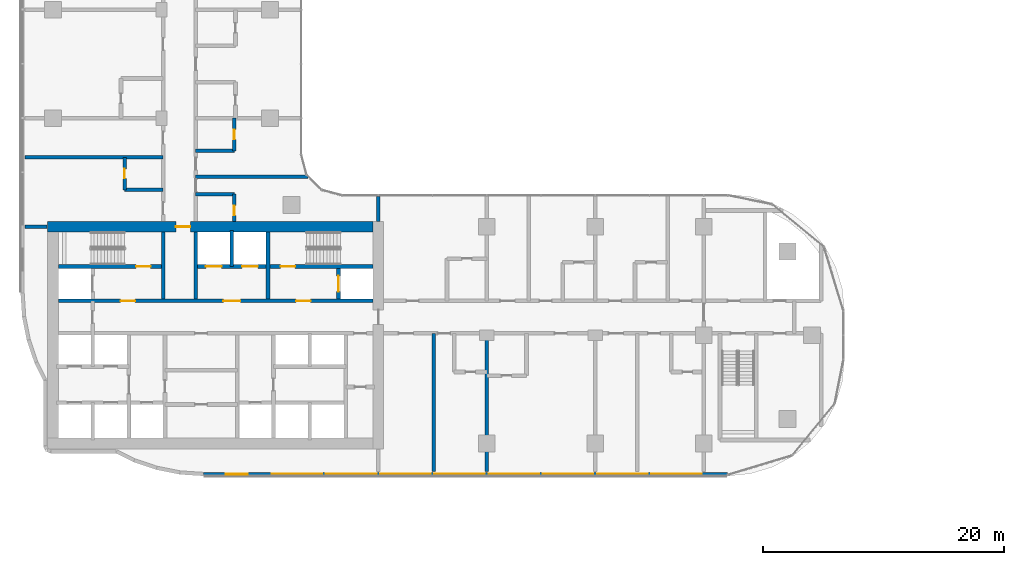
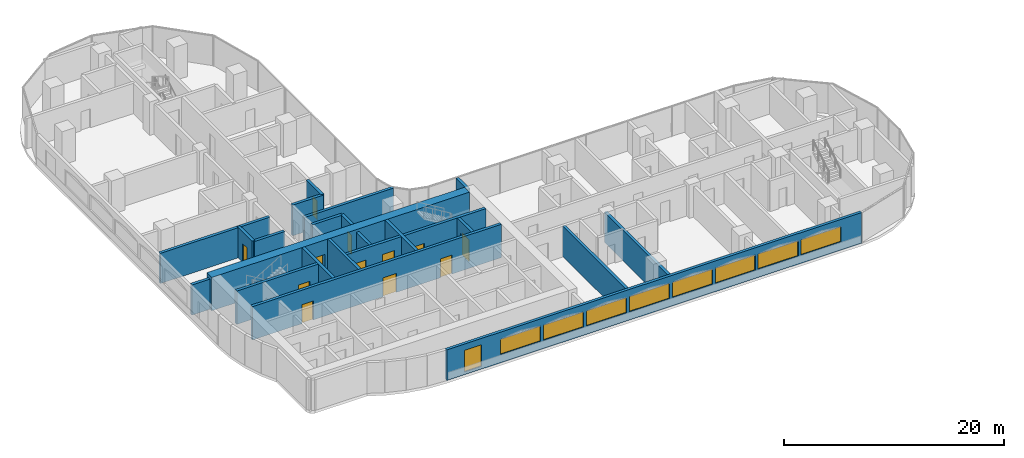
# One storey, part 18 of 34: 22 walls, 12 doors, 9 windows, 21 openings.
"""IFC4 building model written with IfcOpenShell, lengths in metres."""

from ifc_helpers import new_model, si_unit, direction, frame, frame_2d, origin, place, context, subcontext, project, spatial, rectangle, extrude, material, layer, layer_set, type_object, element, fill, save


model = new_model("IFC4")

# Units and contexts
model_context = context("Model", 3, precision=1e-05, world=origin(), true_north=direction((0.0, 1.0)))
body_context = subcontext(model_context, "Body", "Model", "MODEL_VIEW")
ifc_project = project(units=[si_unit("LENGTHUNIT", "METRE"), si_unit("AREAUNIT", "SQUARE_METRE"), si_unit("VOLUMEUNIT", "CUBIC_METRE"), si_unit("PLANEANGLEUNIT", "RADIAN"), si_unit("MASSUNIT", "GRAM", prefix="KILO")], contexts=[model_context])

# Site, building, storey
site_placement = place(None, origin())
site = spatial("IfcSite", under=ifc_project, at=site_placement, CompositionType="ELEMENT")
building_placement = place(site_placement, origin())
building = spatial("IfcBuilding", under=site, at=building_placement, Name="Ogive Portal Towers", CompositionType="ELEMENT")
storey_placement = place(building_placement, frame((0.0, 0.0, 66.800048828125)))
storey = spatial("IfcBuildingStorey", under=building, at=storey_placement, Name="L15", CompositionType="ELEMENT", Elevation=66.800048828125)

# Wall, openings, doors
ifc_material_1 = material(Name="Concrete C60/75", Category="concrete")
ifc_layer_1 = layer(ifc_material_1, 0.300048828125)
ifc_layer_set_1 = layer_set([ifc_layer_1], Name="CORE WALL 300 C60")
wall_type_1 = type_object("IfcWallType", Name="CORE WALL 300 C60", PredefinedType="SHEAR", material=ifc_layer_set_1)
wall_1_placement = place(storey_placement, frame((31.949951171875, 33.35009765625, 0.0), z_axis=(0.0, 0.0, 1.0), x_axis=(1.0, 0.0, 0.0)))
wall_1 = element("IfcWall", 1, at=wall_1_placement, inside=storey, type_object=wall_type_1, Name="Core wall Y2 L15", PredefinedType="SHEAR", context=body_context, shape_type="SweptSolid", body=[
    extrude(rectangle(XDim=26.10009765625, YDim=0.300048828125, at=frame_2d((13.050048828125, 0.0))), origin(), (0.0, 0.0, 1.0), 3.699951171875),
])
opening_1_placement = place(wall_1_placement, frame((13.699951171875, 0.0, 0.0)))
opening_1 = element("IfcOpeningElement", 2, at=opening_1_placement, cuts=wall_1, Name="Opening D04-002", PredefinedType="OPENING", context=body_context, shape_type="SweptSolid", body=[
    extrude(rectangle(XDim=1.39990234375, YDim=2.10009765625, at=frame_2d((0.699951171875, 1.050048828125))), frame((0.0, 0.16015625, 0.0), z_axis=(0.0, -1.0, 0.0), x_axis=(1.0, 0.0, 0.0)), (0.0, 0.0, 1.0), 0.320068359375),
])
opening_2_placement = place(wall_1_placement, frame((5.175048828125, 0.0, 0.0)))
opening_2 = element("IfcOpeningElement", 3, at=opening_2_placement, cuts=wall_1, Name="Opening D04-003", PredefinedType="OPENING", context=body_context, shape_type="SweptSolid", body=[
    extrude(rectangle(XDim=1.199951171875, YDim=2.10009765625, at=frame_2d((0.60009765625, 1.050048828125))), frame((0.0, 0.16015625, 0.0), z_axis=(0.0, -1.0, 0.0), x_axis=(1.0, 0.0, 0.0)), (0.0, 0.0, 1.0), 0.320068359375),
])
opening_3_placement = place(wall_1_placement, frame((19.72509765625, 0.0, 0.0)))
opening_3 = element("IfcOpeningElement", 4, at=opening_3_placement, cuts=wall_1, Name="Opening D04-004", PredefinedType="OPENING", context=body_context, shape_type="SweptSolid", body=[
    extrude(rectangle(XDim=1.199951171875, YDim=2.10009765625, at=frame_2d((0.60009765625, 1.050048828125))), frame((0.0, 0.16015625, 0.0), z_axis=(0.0, -1.0, 0.0), x_axis=(1.0, 0.0, 0.0)), (0.0, 0.0, 1.0), 0.320068359375),
])
ifc_material_2 = material(Name="Steel fire door", Category="steel")
door_type_1 = type_object("IfcDoorType", Name="DT-SWING-1200x2100-FD90S", OperationType="SINGLE_SWING_LEFT", PredefinedType="DOOR", material=ifc_material_2)
door_1_placement = place(opening_2_placement, origin())
door_1 = element("IfcDoor", 5, at=door_1_placement, inside=storey, type_object=door_type_1, Name="Door D04-003", OperationType="SINGLE_SWING_LEFT", OverallHeight=2.10009765625, OverallWidth=1.199951171875, PredefinedType="DOOR", context=body_context, shape_type="SweptSolid", body=[
    extrude(rectangle(XDim=1.199951171875, YDim=2.10009765625, at=frame_2d((0.60009765625, 1.050048828125))), frame((0.0, 0.02490234375, 0.0), z_axis=(0.0, -1.0, 0.0), x_axis=(1.0, 0.0, 0.0)), (0.0, 0.0, 1.0), 0.050048828125),
])
fill(opening_2, door_1)
door_2_placement = place(opening_3_placement, origin())
door_2 = element("IfcDoor", 6, at=door_2_placement, inside=storey, type_object=door_type_1, Name="Door D04-004", OperationType="SINGLE_SWING_RIGHT", OverallHeight=2.10009765625, OverallWidth=1.199951171875, PredefinedType="DOOR", context=body_context, shape_type="SweptSolid", body=[
    extrude(rectangle(XDim=1.199951171875, YDim=2.10009765625, at=frame_2d((0.60009765625, 1.050048828125))), frame((0.0, 0.02490234375, 0.0), z_axis=(0.0, -1.0, 0.0), x_axis=(1.0, 0.0, 0.0)), (0.0, 0.0, 1.0), 0.050048828125),
])
fill(opening_3, door_2)
door_type_2 = type_object("IfcDoorType", Name="DT-SWING-1400x2100-FD90S", OperationType="SINGLE_SWING_LEFT", PredefinedType="DOOR", material=ifc_material_2)
door_3_placement = place(opening_1_placement, origin())
door_3 = element("IfcDoor", 7, at=door_3_placement, inside=storey, type_object=door_type_2, Name="Door D04-002", OperationType="SINGLE_SWING_RIGHT", OverallHeight=2.10009765625, OverallWidth=1.39990234375, PredefinedType="DOOR", context=body_context, shape_type="SweptSolid", body=[
    extrude(rectangle(XDim=1.39990234375, YDim=2.10009765625, at=frame_2d((0.699951171875, 1.050048828125))), frame((0.0, 0.02490234375, 0.0), z_axis=(0.0, -1.0, 0.0), x_axis=(1.0, 0.0, 0.0)), (0.0, 0.0, 1.0), 0.050048828125),
])
fill(opening_1, door_3)

# Wall, opening, door
wall_2_placement = place(storey_placement, frame((31.949951171875, 36.199951171875, 0.0), z_axis=(0.0, 0.0, 1.0), x_axis=(1.0, 0.0, 0.0)))
wall_2 = element("IfcWall", 8, at=wall_2_placement, inside=storey, type_object=wall_type_1, Name="Core wall Y3a L15", PredefinedType="SHEAR", context=body_context, shape_type="SweptSolid", body=[
    extrude(rectangle(XDim=8.550048828125, YDim=0.300048828125, at=frame_2d((4.27490234375, 0.0))), origin(), (0.0, 0.0, 1.0), 3.699951171875),
])
opening_4_placement = place(wall_2_placement, frame((6.449951171875, 0.0, 0.0)))
opening_4 = element("IfcOpeningElement", 9, at=opening_4_placement, cuts=wall_2, Name="Opening D04-005", PredefinedType="OPENING", context=body_context, shape_type="SweptSolid", body=[
    extrude(rectangle(XDim=1.199951171875, YDim=2.10009765625, at=frame_2d((0.60009765625, 1.050048828125))), frame((0.0, 0.16015625, 0.0), z_axis=(0.0, -1.0, 0.0), x_axis=(1.0, 0.0, 0.0)), (0.0, 0.0, 1.0), 0.320068359375),
])
door_4_placement = place(opening_4_placement, origin())
door_4 = element("IfcDoor", 10, at=door_4_placement, inside=storey, type_object=door_type_1, Name="Door D04-005", OperationType="SINGLE_SWING_RIGHT", OverallHeight=2.10009765625, OverallWidth=1.199951171875, PredefinedType="DOOR", context=body_context, shape_type="SweptSolid", body=[
    extrude(rectangle(XDim=1.199951171875, YDim=2.10009765625, at=frame_2d((0.60009765625, 1.050048828125))), frame((0.0, 0.02490234375, 0.0), z_axis=(0.0, -1.0, 0.0), x_axis=(1.0, 0.0, 0.0)), (0.0, 0.0, 1.0), 0.050048828125),
])
fill(opening_4, door_4)

# Wall, openings, doors
wall_3_placement = place(storey_placement, frame((43.5, 36.199951171875, 0.0), z_axis=(0.0, 0.0, 1.0), x_axis=(1.0, 0.0, 0.0)))
wall_3 = element("IfcWall", 11, at=wall_3_placement, inside=storey, type_object=wall_type_1, Name="Core wall Y3b L15", PredefinedType="SHEAR", context=body_context, shape_type="SweptSolid", body=[
    extrude(rectangle(XDim=14.550048828125, YDim=0.300048828125, at=frame_2d((7.27490234375, 0.0))), origin(), (0.0, 0.0, 1.0), 3.699951171875),
])
opening_5_placement = place(wall_3_placement, frame((6.89990234375, 0.0, 0.0)))
opening_5 = element("IfcOpeningElement", 12, at=opening_5_placement, cuts=wall_3, Name="Opening D04-006", PredefinedType="OPENING", context=body_context, shape_type="SweptSolid", body=[
    extrude(rectangle(XDim=1.199951171875, YDim=2.10009765625, at=frame_2d((0.60009765625, 1.050048828125))), frame((0.0, 0.16015625, 0.0), z_axis=(0.0, -1.0, 0.0), x_axis=(1.0, 0.0, 0.0)), (0.0, 0.0, 1.0), 0.320068359375),
])
opening_6_placement = place(wall_3_placement, frame((0.699951171875, 0.0, 0.0)))
opening_6 = element("IfcOpeningElement", 13, at=opening_6_placement, cuts=wall_3, Name="Opening D04-017", PredefinedType="OPENING", context=body_context, shape_type="SweptSolid", body=[
    extrude(rectangle(XDim=1.300048828125, YDim=2.39990234375, at=frame_2d((0.64990234375, 1.199951171875))), frame((0.0, 0.16015625, 0.0), z_axis=(0.0, -1.0, 0.0), x_axis=(1.0, 0.0, 0.0)), (0.0, 0.0, 1.0), 0.320068359375),
])
opening_7_placement = place(wall_3_placement, frame((3.699951171875, 0.0, 0.0)))
opening_7 = element("IfcOpeningElement", 14, at=opening_7_placement, cuts=wall_3, Name="Opening D04-018", PredefinedType="OPENING", context=body_context, shape_type="SweptSolid", body=[
    extrude(rectangle(XDim=1.300048828125, YDim=2.39990234375, at=frame_2d((0.64990234375, 1.199951171875))), frame((0.0, 0.16015625, 0.0), z_axis=(0.0, -1.0, 0.0), x_axis=(1.0, 0.0, 0.0)), (0.0, 0.0, 1.0), 0.320068359375),
])
ifc_material_3 = material(Name="Stainless steel", Category="steel")
door_type_3 = type_object("IfcDoorType", Name="DT-LD-1300x2400", OperationType="SLIDING_TO_LEFT", PredefinedType="DOOR", material=ifc_material_3)
door_5_placement = place(opening_6_placement, origin())
door_5 = element("IfcDoor", 15, at=door_5_placement, inside=storey, type_object=door_type_3, Name="Door D04-017", OperationType="SLIDING_TO_LEFT", OverallHeight=2.39990234375, OverallWidth=1.300048828125, PredefinedType="DOOR", context=body_context, shape_type="SweptSolid", body=[
    extrude(rectangle(XDim=1.300048828125, YDim=2.39990234375, at=frame_2d((0.64990234375, 1.199951171875))), frame((0.0, 0.02490234375, 0.0), z_axis=(0.0, -1.0, 0.0), x_axis=(1.0, 0.0, 0.0)), (0.0, 0.0, 1.0), 0.050048828125),
])
fill(opening_6, door_5)
door_6_placement = place(opening_7_placement, origin())
door_6 = element("IfcDoor", 16, at=door_6_placement, inside=storey, type_object=door_type_3, Name="Door D04-018", OperationType="SLIDING_TO_LEFT", OverallHeight=2.39990234375, OverallWidth=1.300048828125, PredefinedType="DOOR", context=body_context, shape_type="SweptSolid", body=[
    extrude(rectangle(XDim=1.300048828125, YDim=2.39990234375, at=frame_2d((0.64990234375, 1.199951171875))), frame((0.0, 0.02490234375, 0.0), z_axis=(0.0, -1.0, 0.0), x_axis=(1.0, 0.0, 0.0)), (0.0, 0.0, 1.0), 0.050048828125),
])
fill(opening_7, door_6)
door_7_placement = place(opening_5_placement, origin())
door_7 = element("IfcDoor", 17, at=door_7_placement, inside=storey, type_object=door_type_1, Name="Door D04-006", OperationType="SINGLE_SWING_LEFT", OverallHeight=2.10009765625, OverallWidth=1.199951171875, PredefinedType="DOOR", context=body_context, shape_type="SweptSolid", body=[
    extrude(rectangle(XDim=1.199951171875, YDim=2.10009765625, at=frame_2d((0.60009765625, 1.050048828125))), frame((0.0, 0.02490234375, 0.0), z_axis=(0.0, -1.0, 0.0), x_axis=(1.0, 0.0, 0.0)), (0.0, 0.0, 1.0), 0.050048828125),
])
fill(opening_5, door_7)

# Walls
for number, where, z_axis, x_axis, name in (
    (18, (40.64990234375, 33.5, 0.0), (0.0, 0.0, 1.0), (0.0, 1.0, 0.0), "Core wall X6 L15"),
    (19, (43.35009765625, 33.5, 0.0), (0.0, 0.0, 1.0), (0.0, 1.0, 0.0), "Core wall X7 L15"),
    (20, (49.35009765625, 33.5, 0.0), (0.0, 0.0, 1.0), (0.0, 1.0, 0.0), "Core wall X9 L15"),
):
    element("IfcWall", number, at=place(storey_placement, frame(where, z_axis=z_axis, x_axis=x_axis)), inside=storey, type_object=wall_type_1, Name=name, PredefinedType="SHEAR", context=body_context, shape_type="SweptSolid", body=[
        extrude(rectangle(XDim=5.550048828125, YDim=0.300048828125, at=frame_2d((2.77490234375, 0.0))), origin(), (0.0, 0.0, 1.0), 3.699951171875),
    ])

# Wall, opening, door
wall_4_placement = place(storey_placement, frame((55.199951171875, 33.5, 0.0), z_axis=(0.0, 0.0, 1.0), x_axis=(0.0, 1.0, 0.0)))
wall_4 = element("IfcWall", 21, at=wall_4_placement, inside=storey, type_object=wall_type_1, Name="Core wall X10 L15", PredefinedType="SHEAR", context=body_context, shape_type="SweptSolid", body=[
    extrude(rectangle(XDim=2.550048828125, YDim=0.300048828125, at=frame_2d((1.27490234375, 0.0))), origin(), (0.0, 0.0, 1.0), 3.699951171875),
])
opening_8_placement = place(wall_4_placement, frame((0.625, 0.0, 0.0)))
opening_8 = element("IfcOpeningElement", 22, at=opening_8_placement, cuts=wall_4, Name="Opening D04-020", PredefinedType="OPENING", context=body_context, shape_type="SweptSolid", body=[
    extrude(rectangle(XDim=1.300048828125, YDim=2.39990234375, at=frame_2d((0.64990234375, 1.199951171875))), frame((0.0, 0.16015625, 0.0), z_axis=(0.0, -1.0, 0.0), x_axis=(1.0, 0.0, 0.0)), (0.0, 0.0, 1.0), 0.320068359375),
])
door_8_placement = place(opening_8_placement, origin())
door_8 = element("IfcDoor", 23, at=door_8_placement, inside=storey, type_object=door_type_3, Name="Door D04-020", OperationType="SLIDING_TO_LEFT", OverallHeight=2.39990234375, OverallWidth=1.300048828125, PredefinedType="DOOR", context=body_context, shape_type="SweptSolid", body=[
    extrude(rectangle(XDim=1.300048828125, YDim=2.39990234375, at=frame_2d((0.64990234375, 1.199951171875))), frame((0.0, 0.02490234375, 0.0), z_axis=(0.0, -1.0, 0.0), x_axis=(1.0, 0.0, 0.0)), (0.0, 0.0, 1.0), 0.050048828125),
])
fill(opening_8, door_8)

ifc_layer_2 = layer(ifc_material_1, 0.89990234375)
ifc_layer_set_2 = layer_set([ifc_layer_2], Name="CORE WALL 900 C60")
wall_type_2 = type_object("IfcWallType", Name="CORE WALL 900 C60", PredefinedType="SHEAR", material=ifc_layer_set_2)
wall_5_placement = place(storey_placement, frame((31.050048828125, 39.5, 0.0), z_axis=(0.0, 0.0, 1.0), x_axis=(1.0, 0.0, 0.0)))
wall_5 = element("IfcWall", 24, at=wall_5_placement, inside=storey, type_object=wall_type_2, Name="Core wall N L15", PredefinedType="SHEAR", context=body_context, shape_type="SweptSolid", body=[
    extrude(rectangle(XDim=27.0, YDim=0.89990234375, at=frame_2d((13.5, 0.0))), origin(), (0.0, 0.0, 1.0), 3.699951171875),
])
opening_9_placement = place(wall_5_placement, frame((10.64990234375, 0.0, 0.0)))
opening_9 = element("IfcOpeningElement", 25, at=opening_9_placement, cuts=wall_5, Name="Opening D04-012", PredefinedType="OPENING", context=body_context, shape_type="SweptSolid", body=[
    extrude(rectangle(XDim=1.199951171875, YDim=2.10009765625, at=frame_2d((0.60009765625, 1.050048828125))), frame((0.0, 0.4599609375, 0.0), z_axis=(0.0, -1.0, 0.0), x_axis=(1.0, 0.0, 0.0)), (0.0, 0.0, 1.0), 0.919921875),
])
door_9_placement = place(opening_9_placement, origin())
door_9 = element("IfcDoor", 26, at=door_9_placement, inside=storey, type_object=door_type_1, Name="Door D04-012", OperationType="SINGLE_SWING_RIGHT", OverallHeight=2.10009765625, OverallWidth=1.199951171875, PredefinedType="DOOR", context=body_context, shape_type="SweptSolid", body=[
    extrude(rectangle(XDim=1.199951171875, YDim=2.10009765625, at=frame_2d((0.60009765625, 1.050048828125))), frame((0.0, 0.02490234375, 0.0), z_axis=(0.0, -1.0, 0.0), x_axis=(1.0, 0.0, 0.0)), (0.0, 0.0, 1.0), 0.050048828125),
])
fill(opening_9, door_9)

# Wall, openings, windows
ifc_material_4 = material(Name="Limestone cladding on lightweight block wall", Category="masonry")
ifc_layer_3 = layer(ifc_material_4, 0.300048828125)
ifc_layer_set_3 = layer_set([ifc_layer_3], Name="EXTERNAL WALL 300 STONE")
wall_type_3 = type_object("IfcWallType", Name="EXTERNAL WALL 300 STONE", PredefinedType="SOLIDWALL", material=ifc_layer_set_3)
wall_6_placement = place(storey_placement, frame((44.009765625, 18.969970703125, 0.0), z_axis=(0.0, 0.0, 1.0), x_axis=(1.0, 0.0, 0.0)))
wall_6 = element("IfcWall", 27, at=wall_6_placement, inside=storey, type_object=wall_type_3, Name="A:L15:f08:r0:wall", PredefinedType="SOLIDWALL", context=body_context, shape_type="SweptSolid", body=[
    extrude(rectangle(XDim=43.478271484375, YDim=0.300048828125, at=frame_2d((21.7392578125, 0.0))), origin(), (0.0, 0.0, 1.0), 3.39990234375),
])
opening_10_placement = place(wall_6_placement, frame((1.844970703125, 0.0, 0.300048828125)))
opening_10 = element("IfcOpeningElement", 28, at=opening_10_placement, cuts=wall_6, Name="Opening WN10", PredefinedType="OPENING", context=body_context, shape_type="SweptSolid", body=[
    extrude(rectangle(XDim=1.800048828125, YDim=2.39990234375, at=frame_2d((0.89990234375, 1.199951171875))), frame((0.0, 0.16015625, 0.0), z_axis=(0.0, -1.0, 0.0), x_axis=(1.0, 0.0, 0.0)), (0.0, 0.0, 1.0), 0.320068359375),
])
opening_11_placement = place(wall_6_placement, frame((5.64013671875, 0.0, 0.89990234375)))
opening_11 = element("IfcOpeningElement", 29, at=opening_11_placement, cuts=wall_6, Name="Opening WN13", PredefinedType="OPENING", context=body_context, shape_type="SweptSolid", body=[
    extrude(rectangle(XDim=4.199951171875, YDim=1.699951171875, at=frame_2d((2.10009765625, 0.85009765625))), frame((0.0, 0.16015625, 0.0), z_axis=(0.0, -1.0, 0.0), x_axis=(1.0, 0.0, 0.0)), (0.0, 0.0, 1.0), 0.320068359375),
])
opening_12_placement = place(wall_6_placement, frame((10.14013671875, 0.0, 0.89990234375)))
opening_12 = element("IfcOpeningElement", 30, at=opening_12_placement, cuts=wall_6, Name="Opening WN13", PredefinedType="OPENING", context=body_context, shape_type="SweptSolid", body=[
    extrude(rectangle(XDim=4.199951171875, YDim=1.699951171875, at=frame_2d((2.10009765625, 0.85009765625))), frame((0.0, 0.16015625, 0.0), z_axis=(0.0, -1.0, 0.0), x_axis=(1.0, 0.0, 0.0)), (0.0, 0.0, 1.0), 0.320068359375),
])
opening_13_placement = place(wall_6_placement, frame((14.64013671875, 0.0, 0.89990234375)))
opening_13 = element("IfcOpeningElement", 31, at=opening_13_placement, cuts=wall_6, Name="Opening WN13", PredefinedType="OPENING", context=body_context, shape_type="SweptSolid", body=[
    extrude(rectangle(XDim=4.199951171875, YDim=1.699951171875, at=frame_2d((2.10009765625, 0.85009765625))), frame((0.0, 0.16015625, 0.0), z_axis=(0.0, -1.0, 0.0), x_axis=(1.0, 0.0, 0.0)), (0.0, 0.0, 1.0), 0.320068359375),
])
opening_14_placement = place(wall_6_placement, frame((19.14013671875, 0.0, 0.89990234375)))
opening_14 = element("IfcOpeningElement", 32, at=opening_14_placement, cuts=wall_6, Name="Opening WN13", PredefinedType="OPENING", context=body_context, shape_type="SweptSolid", body=[
    extrude(rectangle(XDim=4.199951171875, YDim=1.699951171875, at=frame_2d((2.10009765625, 0.85009765625))), frame((0.0, 0.16015625, 0.0), z_axis=(0.0, -1.0, 0.0), x_axis=(1.0, 0.0, 0.0)), (0.0, 0.0, 1.0), 0.320068359375),
])
opening_15_placement = place(wall_6_placement, frame((23.64013671875, 0.0, 0.89990234375)))
opening_15 = element("IfcOpeningElement", 33, at=opening_15_placement, cuts=wall_6, Name="Opening WN13", PredefinedType="OPENING", context=body_context, shape_type="SweptSolid", body=[
    extrude(rectangle(XDim=4.199951171875, YDim=1.699951171875, at=frame_2d((2.10009765625, 0.85009765625))), frame((0.0, 0.16015625, 0.0), z_axis=(0.0, -1.0, 0.0), x_axis=(1.0, 0.0, 0.0)), (0.0, 0.0, 1.0), 0.320068359375),
])
opening_16_placement = place(wall_6_placement, frame((28.14013671875, 0.0, 0.89990234375)))
opening_16 = element("IfcOpeningElement", 34, at=opening_16_placement, cuts=wall_6, Name="Opening WN13", PredefinedType="OPENING", context=body_context, shape_type="SweptSolid", body=[
    extrude(rectangle(XDim=4.199951171875, YDim=1.699951171875, at=frame_2d((2.10009765625, 0.85009765625))), frame((0.0, 0.16015625, 0.0), z_axis=(0.0, -1.0, 0.0), x_axis=(1.0, 0.0, 0.0)), (0.0, 0.0, 1.0), 0.320068359375),
])
opening_17_placement = place(wall_6_placement, frame((32.64013671875, 0.0, 0.89990234375)))
opening_17 = element("IfcOpeningElement", 35, at=opening_17_placement, cuts=wall_6, Name="Opening WN13", PredefinedType="OPENING", context=body_context, shape_type="SweptSolid", body=[
    extrude(rectangle(XDim=4.199951171875, YDim=1.699951171875, at=frame_2d((2.10009765625, 0.85009765625))), frame((0.0, 0.16015625, 0.0), z_axis=(0.0, -1.0, 0.0), x_axis=(1.0, 0.0, 0.0)), (0.0, 0.0, 1.0), 0.320068359375),
])
opening_18_placement = place(wall_6_placement, frame((37.14013671875, 0.0, 0.89990234375)))
opening_18 = element("IfcOpeningElement", 36, at=opening_18_placement, cuts=wall_6, Name="Opening WN13", PredefinedType="OPENING", context=body_context, shape_type="SweptSolid", body=[
    extrude(rectangle(XDim=4.199951171875, YDim=1.699951171875, at=frame_2d((2.10009765625, 0.85009765625))), frame((0.0, 0.16015625, 0.0), z_axis=(0.0, -1.0, 0.0), x_axis=(1.0, 0.0, 0.0)), (0.0, 0.0, 1.0), 0.320068359375),
])
ifc_material_5 = material(Name="Glass, clear low-iron insulated glazing", Category="glass")
window_type_1 = type_object("IfcWindowType", Name="WINDOW RIBBON LANCET 4200x1700", PartitioningType="TRIPLE_PANEL_VERTICAL", PredefinedType="WINDOW", material=ifc_material_5)
window_1_placement = place(opening_11_placement, origin())
window_1 = element("IfcWindow", 37, at=window_1_placement, inside=storey, type_object=window_type_1, Name="A:L15:f08:r0:w1", OverallHeight=1.699951171875, OverallWidth=4.199951171875, PartitioningType="SINGLE_PANEL", PredefinedType="WINDOW", context=body_context, shape_type="SweptSolid", body=[
    extrude(rectangle(XDim=4.199951171875, YDim=1.699951171875, at=frame_2d((2.10009765625, 0.85009765625))), frame((0.0, 0.030029296875, 0.0), z_axis=(0.0, -1.0, 0.0), x_axis=(1.0, 0.0, 0.0)), (0.0, 0.0, 1.0), 0.06005859375),
])
fill(opening_11, window_1)
window_2_placement = place(opening_12_placement, origin())
window_2 = element("IfcWindow", 38, at=window_2_placement, inside=storey, type_object=window_type_1, Name="A:L15:f08:r0:w2", OverallHeight=1.699951171875, OverallWidth=4.199951171875, PartitioningType="SINGLE_PANEL", PredefinedType="WINDOW", context=body_context, shape_type="SweptSolid", body=[
    extrude(rectangle(XDim=4.199951171875, YDim=1.699951171875, at=frame_2d((2.10009765625, 0.85009765625))), frame((0.0, 0.030029296875, 0.0), z_axis=(0.0, -1.0, 0.0), x_axis=(1.0, 0.0, 0.0)), (0.0, 0.0, 1.0), 0.06005859375),
])
fill(opening_12, window_2)
window_3_placement = place(opening_13_placement, origin())
window_3 = element("IfcWindow", 39, at=window_3_placement, inside=storey, type_object=window_type_1, Name="A:L15:f08:r0:w3", OverallHeight=1.699951171875, OverallWidth=4.199951171875, PartitioningType="SINGLE_PANEL", PredefinedType="WINDOW", context=body_context, shape_type="SweptSolid", body=[
    extrude(rectangle(XDim=4.199951171875, YDim=1.699951171875, at=frame_2d((2.10009765625, 0.85009765625))), frame((0.0, 0.030029296875, 0.0), z_axis=(0.0, -1.0, 0.0), x_axis=(1.0, 0.0, 0.0)), (0.0, 0.0, 1.0), 0.06005859375),
])
fill(opening_13, window_3)
window_4_placement = place(opening_14_placement, origin())
window_4 = element("IfcWindow", 40, at=window_4_placement, inside=storey, type_object=window_type_1, Name="A:L15:f08:r0:w4", OverallHeight=1.699951171875, OverallWidth=4.199951171875, PartitioningType="SINGLE_PANEL", PredefinedType="WINDOW", context=body_context, shape_type="SweptSolid", body=[
    extrude(rectangle(XDim=4.199951171875, YDim=1.699951171875, at=frame_2d((2.10009765625, 0.85009765625))), frame((0.0, 0.030029296875, 0.0), z_axis=(0.0, -1.0, 0.0), x_axis=(1.0, 0.0, 0.0)), (0.0, 0.0, 1.0), 0.06005859375),
])
fill(opening_14, window_4)
window_5_placement = place(opening_15_placement, origin())
window_5 = element("IfcWindow", 41, at=window_5_placement, inside=storey, type_object=window_type_1, Name="A:L15:f08:r0:w5", OverallHeight=1.699951171875, OverallWidth=4.199951171875, PartitioningType="SINGLE_PANEL", PredefinedType="WINDOW", context=body_context, shape_type="SweptSolid", body=[
    extrude(rectangle(XDim=4.199951171875, YDim=1.699951171875, at=frame_2d((2.10009765625, 0.85009765625))), frame((0.0, 0.030029296875, 0.0), z_axis=(0.0, -1.0, 0.0), x_axis=(1.0, 0.0, 0.0)), (0.0, 0.0, 1.0), 0.06005859375),
])
fill(opening_15, window_5)
window_6_placement = place(opening_16_placement, origin())
window_6 = element("IfcWindow", 42, at=window_6_placement, inside=storey, type_object=window_type_1, Name="A:L15:f08:r0:w6", OverallHeight=1.699951171875, OverallWidth=4.199951171875, PartitioningType="SINGLE_PANEL", PredefinedType="WINDOW", context=body_context, shape_type="SweptSolid", body=[
    extrude(rectangle(XDim=4.199951171875, YDim=1.699951171875, at=frame_2d((2.10009765625, 0.85009765625))), frame((0.0, 0.030029296875, 0.0), z_axis=(0.0, -1.0, 0.0), x_axis=(1.0, 0.0, 0.0)), (0.0, 0.0, 1.0), 0.06005859375),
])
fill(opening_16, window_6)
window_7_placement = place(opening_17_placement, origin())
window_7 = element("IfcWindow", 43, at=window_7_placement, inside=storey, type_object=window_type_1, Name="A:L15:f08:r0:w7", OverallHeight=1.699951171875, OverallWidth=4.199951171875, PartitioningType="SINGLE_PANEL", PredefinedType="WINDOW", context=body_context, shape_type="SweptSolid", body=[
    extrude(rectangle(XDim=4.199951171875, YDim=1.699951171875, at=frame_2d((2.10009765625, 0.85009765625))), frame((0.0, 0.030029296875, 0.0), z_axis=(0.0, -1.0, 0.0), x_axis=(1.0, 0.0, 0.0)), (0.0, 0.0, 1.0), 0.06005859375),
])
fill(opening_17, window_7)
window_8_placement = place(opening_18_placement, origin())
window_8 = element("IfcWindow", 44, at=window_8_placement, inside=storey, type_object=window_type_1, Name="A:L15:f08:r0:w8", OverallHeight=1.699951171875, OverallWidth=4.199951171875, PartitioningType="SINGLE_PANEL", PredefinedType="WINDOW", context=body_context, shape_type="SweptSolid", body=[
    extrude(rectangle(XDim=4.199951171875, YDim=1.699951171875, at=frame_2d((2.10009765625, 0.85009765625))), frame((0.0, 0.030029296875, 0.0), z_axis=(0.0, -1.0, 0.0), x_axis=(1.0, 0.0, 0.0)), (0.0, 0.0, 1.0), 0.06005859375),
])
fill(opening_18, window_8)
window_type_2 = type_object("IfcWindowType", Name="WINDOW SUITE CORNER 1800x2400", PartitioningType="DOUBLE_PANEL_VERTICAL", PredefinedType="WINDOW", material=ifc_material_5)
window_9_placement = place(opening_10_placement, origin())
window_9 = element("IfcWindow", 45, at=window_9_placement, inside=storey, type_object=window_type_2, Name="A:L15:f08:r0:w0", OverallHeight=2.39990234375, OverallWidth=1.800048828125, PartitioningType="SINGLE_PANEL", PredefinedType="WINDOW", context=body_context, shape_type="SweptSolid", body=[
    extrude(rectangle(XDim=1.800048828125, YDim=2.39990234375, at=frame_2d((0.89990234375, 1.199951171875))), frame((0.0, 0.030029296875, 0.0), z_axis=(0.0, -1.0, 0.0), x_axis=(1.0, 0.0, 0.0)), (0.0, 0.0, 1.0), 0.06005859375),
])
fill(opening_10, window_9)

# Walls
ifc_material_6 = material(Name="Gypsum board partition on steel studs", Category="steel")
ifc_layer_4 = layer(ifc_material_6, 0.300048828125)
ifc_layer_set_4 = layer_set([ifc_layer_4], Name="WT-PART-300-EI 60")
wall_type_4 = type_object("IfcWallType", Name="WT-PART-300-EI 60", PredefinedType="PARTITIONING", material=ifc_layer_set_4)
wall_7_placement = place(storey_placement, frame((29.169921875, 39.5, 0.0), z_axis=(0.0, 0.0, 1.0), x_axis=(1.0, 0.0, 0.0)))
element("IfcWall", 46, at=wall_7_placement, inside=storey, type_object=wall_type_4, Name="Wall L15:w012", PredefinedType="PARTITIONING", context=body_context, shape_type="SweptSolid", body=[
    extrude(rectangle(XDim=1.860107421875, YDim=0.300048828125, at=frame_2d((0.93017578125, 0.0))), origin(), (0.0, 0.0, 1.0), 3.349853515625),
])
for number, where, z_axis, x_axis, name in (
    (47, (43.35009765625, 42.199951171875, 0.0), (0.0, 0.0, 1.0), (1.0, 0.0, 0.0), "Wall L15:w014"),
    (48, (37.449951171875, 42.56005859375, 0.0), (0.0, 0.0, 1.0), (1.0, 0.0, 0.0), "Wall L15:w015"),
):
    element("IfcWall", number, at=place(storey_placement, frame(where, z_axis=z_axis, x_axis=x_axis)), inside=storey, type_object=wall_type_4, Name=name, PredefinedType="PARTITIONING", context=body_context, shape_type="SweptSolid", body=[
        extrude(rectangle(XDim=3.199951171875, YDim=0.300048828125, at=frame_2d((1.60009765625, 0.0))), origin(), (0.0, 0.0, 1.0), 3.39990234375),
    ])
wall_8_placement = place(storey_placement, frame((43.35009765625, 43.639892578125, 0.0), z_axis=(0.0, 0.0, 1.0), x_axis=(1.0, 0.0, 0.0)))
element("IfcWall", 49, at=wall_8_placement, inside=storey, type_object=wall_type_4, Name="Wall L15:w016", PredefinedType="PARTITIONING", context=body_context, shape_type="SweptSolid", body=[
    extrude(rectangle(XDim=9.322998046875, YDim=0.300048828125, at=frame_2d((4.66162109375, 0.0))), origin(), (0.0, 0.0, 1.0), 3.349853515625),
])
wall_9_placement = place(storey_placement, frame((29.169921875, 45.260009765625, 0.0), z_axis=(0.0, 0.0, 1.0), x_axis=(1.0, 0.0, 0.0)))
element("IfcWall", 50, at=wall_9_placement, inside=storey, type_object=wall_type_4, Name="Wall L15:w017", PredefinedType="PARTITIONING", context=body_context, shape_type="SweptSolid", body=[
    extrude(rectangle(XDim=11.47998046875, YDim=0.300048828125, at=frame_2d((5.739990234375, 0.0))), origin(), (0.0, 0.0, 1.0), 3.349853515625),
])
wall_10_placement = place(storey_placement, frame((43.35009765625, 45.800048828125, 0.0), z_axis=(0.0, 0.0, 1.0), x_axis=(1.0, 0.0, 0.0)))
element("IfcWall", 51, at=wall_10_placement, inside=storey, type_object=wall_type_4, Name="Wall L15:w018", PredefinedType="PARTITIONING", context=body_context, shape_type="SweptSolid", body=[
    extrude(rectangle(XDim=3.199951171875, YDim=0.300048828125, at=frame_2d((1.60009765625, 0.0))), origin(), (0.0, 0.0, 1.0), 3.39990234375),
])

# Wall, opening, door
wall_11_placement = place(storey_placement, frame((37.449951171875, 42.56005859375, 0.0), z_axis=(0.0, 0.0, 1.0), x_axis=(0.0, 1.0, 0.0)))
wall_11 = element("IfcWall", 52, at=wall_11_placement, inside=storey, type_object=wall_type_4, Name="Wall L15:w035", PredefinedType="PARTITIONING", context=body_context, shape_type="SweptSolid", body=[
    extrude(rectangle(XDim=2.699951171875, YDim=0.300048828125, at=frame_2d((1.35009765625, 0.0))), origin(), (0.0, 0.0, 1.0), 3.39990234375),
])
opening_19_placement = place(wall_11_placement, frame((0.949951171875, 0.0, 0.0)))
opening_19 = element("IfcOpeningElement", 53, at=opening_19_placement, cuts=wall_11, Name="Opening D04-046", PredefinedType="OPENING", context=body_context, shape_type="SweptSolid", body=[
    extrude(rectangle(XDim=0.800048828125, YDim=2.10009765625, at=frame_2d((0.39990234375, 1.050048828125))), frame((0.0, 0.16015625, 0.0), z_axis=(0.0, -1.0, 0.0), x_axis=(1.0, 0.0, 0.0)), (0.0, 0.0, 1.0), 0.320068359375),
])
door_type_4 = type_object("IfcDoorType", Name="DT-BATH-800x2100-FD60S", OperationType="SINGLE_SWING_LEFT", PredefinedType="DOOR", material=ifc_material_2)
door_10_placement = place(opening_19_placement, origin())
door_10 = element("IfcDoor", 54, at=door_10_placement, inside=storey, type_object=door_type_4, Name="Door D04-046", OperationType="SINGLE_SWING_LEFT", OverallHeight=2.10009765625, OverallWidth=0.800048828125, PredefinedType="DOOR", context=body_context, shape_type="SweptSolid", body=[
    extrude(rectangle(XDim=0.800048828125, YDim=2.10009765625, at=frame_2d((0.39990234375, 1.050048828125))), frame((0.0, 0.02490234375, 0.0), z_axis=(0.0, -1.0, 0.0), x_axis=(1.0, 0.0, 0.0)), (0.0, 0.0, 1.0), 0.050048828125),
])
fill(opening_19, door_10)

wall_12_placement = place(storey_placement, frame((46.550048828125, 39.949951171875, 0.0), z_axis=(0.0, 0.0, 1.0), x_axis=(0.0, 1.0, 0.0)))
wall_12 = element("IfcWall", 55, at=wall_12_placement, inside=storey, type_object=wall_type_4, Name="Wall L15:w041", PredefinedType="PARTITIONING", context=body_context, shape_type="SweptSolid", body=[
    extrude(rectangle(XDim=2.25, YDim=0.300048828125, at=frame_2d((1.125, 0.0))), origin(), (0.0, 0.0, 1.0), 3.39990234375),
])
opening_20_placement = place(wall_12_placement, frame((0.5, 0.0, 0.0)))
opening_20 = element("IfcOpeningElement", 56, at=opening_20_placement, cuts=wall_12, Name="Opening D04-042", PredefinedType="OPENING", context=body_context, shape_type="SweptSolid", body=[
    extrude(rectangle(XDim=0.800048828125, YDim=2.10009765625, at=frame_2d((0.39990234375, 1.050048828125))), frame((0.0, 0.16015625, 0.0), z_axis=(0.0, -1.0, 0.0), x_axis=(1.0, 0.0, 0.0)), (0.0, 0.0, 1.0), 0.320068359375),
])
door_11_placement = place(opening_20_placement, origin())
door_11 = element("IfcDoor", 57, at=door_11_placement, inside=storey, type_object=door_type_4, Name="Door D04-042", OperationType="SINGLE_SWING_RIGHT", OverallHeight=2.10009765625, OverallWidth=0.800048828125, PredefinedType="DOOR", context=body_context, shape_type="SweptSolid", body=[
    extrude(rectangle(XDim=0.800048828125, YDim=2.10009765625, at=frame_2d((0.39990234375, 1.050048828125))), frame((0.0, 0.02490234375, 0.0), z_axis=(0.0, -1.0, 0.0), x_axis=(1.0, 0.0, 0.0)), (0.0, 0.0, 1.0), 0.050048828125),
])
fill(opening_20, door_11)

wall_13_placement = place(storey_placement, frame((46.550048828125, 45.800048828125, 0.0), z_axis=(0.0, 0.0, 1.0), x_axis=(0.0, 1.0, 0.0)))
wall_13 = element("IfcWall", 58, at=wall_13_placement, inside=storey, type_object=wall_type_4, Name="Wall L15:w042", PredefinedType="PARTITIONING", context=body_context, shape_type="SweptSolid", body=[
    extrude(rectangle(XDim=2.699951171875, YDim=0.300048828125, at=frame_2d((1.35009765625, 0.0))), origin(), (0.0, 0.0, 1.0), 3.39990234375),
])
opening_21_placement = place(wall_13_placement, frame((0.949951171875, 0.0, 0.0)))
opening_21 = element("IfcOpeningElement", 59, at=opening_21_placement, cuts=wall_13, Name="Opening D04-044", PredefinedType="OPENING", context=body_context, shape_type="SweptSolid", body=[
    extrude(rectangle(XDim=0.800048828125, YDim=2.10009765625, at=frame_2d((0.39990234375, 1.050048828125))), frame((0.0, 0.16015625, 0.0), z_axis=(0.0, -1.0, 0.0), x_axis=(1.0, 0.0, 0.0)), (0.0, 0.0, 1.0), 0.320068359375),
])
door_12_placement = place(opening_21_placement, origin())
door_12 = element("IfcDoor", 60, at=door_12_placement, inside=storey, type_object=door_type_4, Name="Door D04-044", OperationType="SINGLE_SWING_LEFT", OverallHeight=2.10009765625, OverallWidth=0.800048828125, PredefinedType="DOOR", context=body_context, shape_type="SweptSolid", body=[
    extrude(rectangle(XDim=0.800048828125, YDim=2.10009765625, at=frame_2d((0.39990234375, 1.050048828125))), frame((0.0, 0.02490234375, 0.0), z_axis=(0.0, -1.0, 0.0), x_axis=(1.0, 0.0, 0.0)), (0.0, 0.0, 1.0), 0.050048828125),
])
fill(opening_21, door_12)

# Walls
wall_14_placement = place(storey_placement, frame((58.5, 39.949951171875, 0.0), z_axis=(0.0, 0.0, 1.0), x_axis=(0.0, 1.0, 0.0)))
element("IfcWall", 61, at=wall_14_placement, inside=storey, type_object=wall_type_4, Name="Wall L15:w047", PredefinedType="PARTITIONING", context=body_context, shape_type="SweptSolid", body=[
    extrude(rectangle(XDim=2.06005859375, YDim=0.300048828125, at=frame_2d((1.030029296875, 0.0))), origin(), (0.0, 0.0, 1.0), 3.349853515625),
])
for number, where, z_axis, x_axis, name in (
    (62, (63.10009765625, 19.169921875, 0.0), (0.0, 0.0, 1.0), (0.0, 1.0, 0.0), "Wall L15:w048"),
    (63, (67.5, 19.169921875, 0.0), (0.0, 0.0, 1.0), (0.0, 1.0, 0.0), "Wall L15:w051"),
):
    element("IfcWall", number, at=place(storey_placement, frame(where, z_axis=z_axis, x_axis=x_axis)), inside=storey, type_object=wall_type_4, Name=name, PredefinedType="PARTITIONING", context=body_context, shape_type="SweptSolid", body=[
        extrude(rectangle(XDim=11.47998046875, YDim=0.300048828125, at=frame_2d((5.739990234375, 0.0))), origin(), (0.0, 0.0, 1.0), 3.349853515625),
    ])
ifc_material_7 = material(Name="Concrete C40/50", Category="concrete")
ifc_layer_5 = layer(ifc_material_7, 0.300048828125)
ifc_layer_set_5 = layer_set([ifc_layer_5], Name="WT-SHAFT-300")
wall_type_5 = type_object("IfcWallType", Name="WT-SHAFT-300", PredefinedType="SOLIDWALL", material=ifc_layer_set_5)
wall_15_placement = place(storey_placement, frame((46.35009765625, 36.199951171875, 0.0), z_axis=(0.0, 0.0, 1.0), x_axis=(0.0, 1.0, 0.0)))
element("IfcWall", 64, at=wall_15_placement, inside=storey, type_object=wall_type_5, Name="Wall pw:010:L15", PredefinedType="SOLIDWALL", context=body_context, shape_type="SweptSolid", body=[
    extrude(rectangle(XDim=3.0, YDim=0.300048828125, at=frame_2d((1.5, 0.0))), origin(), (0.0, 0.0, 1.0), 3.39990234375),
])

save(model, "model.ifc")
